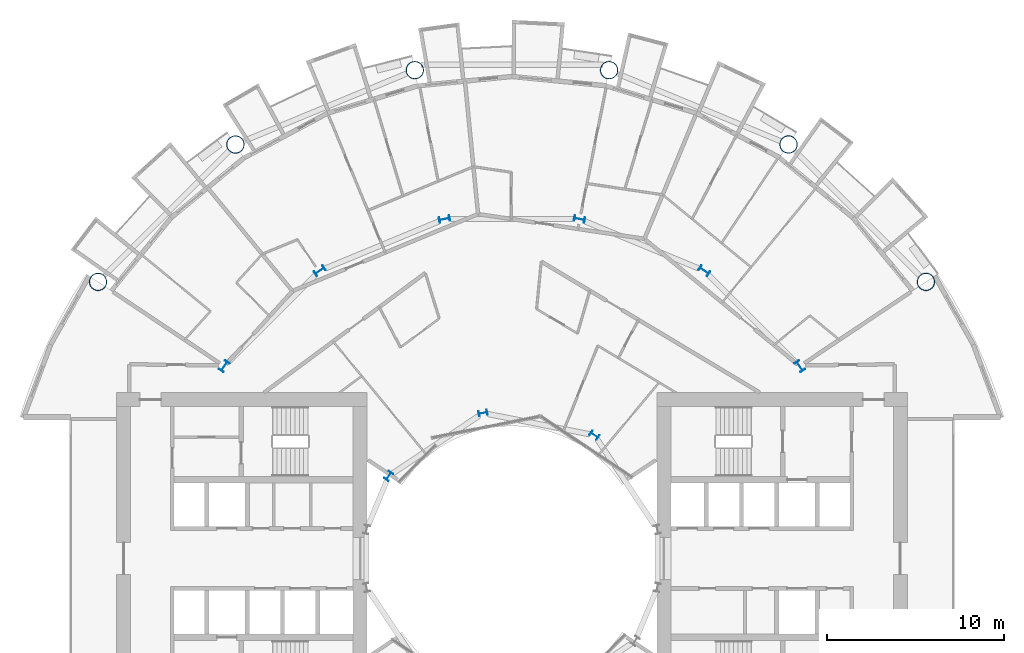
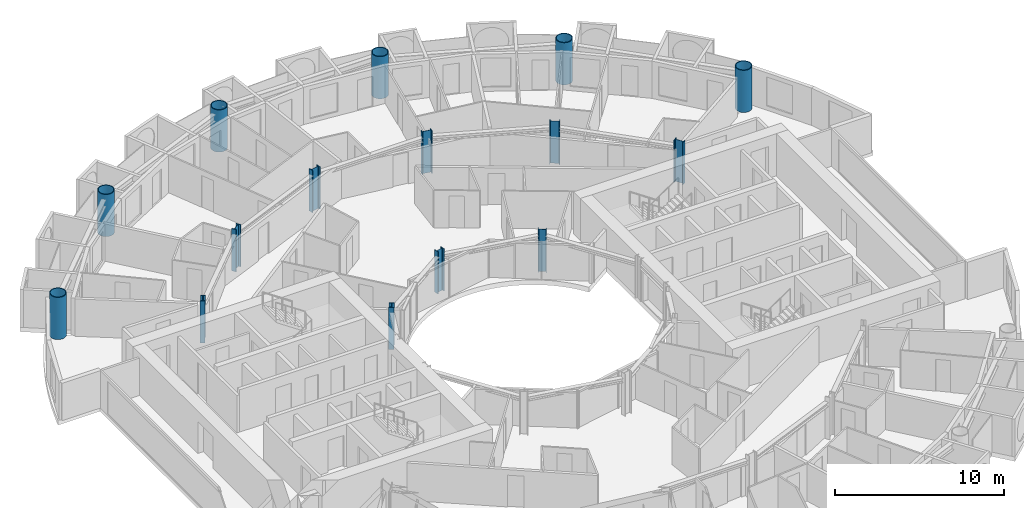
# One storey, part 3 of 26: 15 columns.
"""IFC4 building model written with IfcOpenShell, lengths in metres."""

from ifc_helpers import new_model, si_unit, direction, frame, origin, origin_2d, place, context, subcontext, project, spatial, hollow_circle, i_section, extrude, material, material_profile, profile_set, type_object, element, save


model = new_model("IFC4")

# Units and contexts
model_context = context("Model", 3, precision=1e-05, world=origin(), true_north=direction((0.0, 1.0)))
body_context = subcontext(model_context, "Body", "Model", "MODEL_VIEW")
ifc_project = project(units=[si_unit("LENGTHUNIT", "METRE"), si_unit("AREAUNIT", "SQUARE_METRE"), si_unit("VOLUMEUNIT", "CUBIC_METRE"), si_unit("PLANEANGLEUNIT", "RADIAN"), si_unit("MASSUNIT", "GRAM", prefix="KILO")], contexts=[model_context])

# Site, building, storey
site_placement = place(None, origin())
site = spatial("IfcSite", under=ifc_project, at=site_placement, CompositionType="ELEMENT")
building_placement = place(site_placement, origin())
building = spatial("IfcBuilding", under=site, at=building_placement, Name="Maasbend Ring Residences", CompositionType="ELEMENT")
storey_placement = place(building_placement, frame((0.0, 0.0, 50.25)))
storey = spatial("IfcBuildingStorey", under=building, at=storey_placement, Name="L14", CompositionType="ELEMENT", Elevation=50.25)

# Columns
ifc_material_1 = material(Name="Composite concrete-filled steel tube S460NH / C80/95", Category="concrete")
ifc_material_profile_1 = material_profile(ifc_material_1, hollow_circle(Radius=0.508056640625, WallThickness=0.050048828125, at=origin_2d()), Name="Composite tube column CHS 1016x50")
ifc_profile_set_1 = profile_set([ifc_material_profile_1], Name="Composite concrete-filled steel tube S460NH / C80/95")
column_type_1 = type_object("IfcColumnType", Name="Composite tube column CHS 1016x50", PredefinedType="COLUMN", material=ifc_profile_set_1)
for number, where, z_axis, x_axis, name in (
    (1, (23.447509765625, 15.6669921875, 0.0), (0.0, 0.0, 1.0), (1.0, 0.0, 0.0), "Outer column R2"),
    (2, (15.6669921875, 23.447509765625, 0.0), (0.0, 0.0, 1.0), (1.0, 0.0, 0.0), "Outer column R3"),
    (3, (5.50146484375, 27.658203125, 0.0), (0.0, 0.0, 1.0), (1.0, 0.0, 0.0), "Outer column R4"),
    (4, (-5.50146484375, 27.658203125, 0.0), (0.0, 0.0, 1.0), (1.0, 0.0, 0.0), "Outer column R5"),
    (5, (-15.6669921875, 23.447509765625, 0.0), (0.0, 0.0, 1.0), (1.0, 0.0, 0.0), "Outer column R6"),
    (6, (-23.447509765625, 15.6669921875, 0.0), (0.0, 0.0, 1.0), (1.0, 0.0, 0.0), "Outer column R7"),
):
    element("IfcColumn", number, at=place(storey_placement, frame(where, z_axis=z_axis, x_axis=x_axis)), inside=storey, type_object=column_type_1, Name=name, PredefinedType="COLUMN", context=body_context, shape_type="SweptSolid", body=[
        extrude(hollow_circle(Radius=0.508056640625, WallThickness=0.050048828125, at=origin_2d()), origin(), (0.0, 0.0, 1.0), 3.050048828125),
    ])
ifc_material_2 = material(Name="Steel S355J2", Category="steel")
ifc_material_profile_2 = material_profile(ifc_material_2, i_section(OverallWidth=0.300048828125, OverallDepth=0.5, WebThickness=0.014404296875, FlangeThickness=0.028076171875, FilletRadius=0.027099609375, at=origin_2d()), Name="HEB 500")
ifc_profile_set_2 = profile_set([ifc_material_profile_2], Name="Steel S355J2")
column_type_2 = type_object("IfcColumnType", Name="Steel column HEB 500", PredefinedType="COLUMN", material=ifc_profile_set_2)
for number, where, z_axis, x_axis, name in (
    (7, (4.666748046875, 6.984375, 0.0), (0.0, 0.0, 1.0), (0.55557023302, 0.831469612303, 0.0), "Well ring column R3"),
    (8, (-1.638916015625, 8.238525390625, 0.0), (0.0, 0.0, 1.0), (-0.195090322016, 0.980785280403, 0.0), "Well ring column R5"),
    (9, (-6.984375, 4.666748046875, 0.0), (0.0, 0.0, 1.0), (-0.831469612303, 0.55557023302, 0.0), "Well ring column R7"),
):
    element("IfcColumn", number, at=place(storey_placement, frame(where, z_axis=z_axis, x_axis=x_axis)), inside=storey, type_object=column_type_2, Name=name, PredefinedType="COLUMN", context=body_context, shape_type="SweptSolid", body=[
        extrude(i_section(OverallWidth=0.300048828125, OverallDepth=0.5, WebThickness=0.014404296875, FlangeThickness=0.028076171875, FilletRadius=0.027099609375, at=origin_2d()), origin(), (0.0, 0.0, 1.0), 3.050048828125),
    ])
ifc_material_3 = material(Name="Steel S460M", Category="steel")
ifc_material_profile_3 = material_profile(ifc_material_3, i_section(OverallWidth=0.304931640625, OverallDepth=0.6201171875, WebThickness=0.02099609375, FlangeThickness=0.0400390625, FilletRadius=0.027099609375, at=origin_2d()), Name="HEM 600")
ifc_profile_set_3 = profile_set([ifc_material_profile_3], Name="Steel S460M")
column_type_3 = type_object("IfcColumnType", Name="Steel column HEM 600", PredefinedType="COLUMN", material=ifc_profile_set_3)
for number, where, z_axis, x_axis, name in (
    (10, (16.296875, 10.88916015625, 0.0), (0.0, 0.0, 1.0), (0.831469612303, 0.55557023302, 0.0), "Corridor ring column R2"),
    (11, (10.88916015625, 16.296875, 0.0), (0.0, 0.0, 1.0), (0.55557023302, 0.831469612303, 0.0), "Corridor ring column R3"),
    (12, (3.82373046875, 19.223388671875, 0.0), (0.0, 0.0, 1.0), (0.195090322016, 0.980785280403, 0.0), "Corridor ring column R4"),
    (13, (-3.82373046875, 19.223388671875, 0.0), (0.0, 0.0, 1.0), (-0.195090322016, 0.980785280403, 0.0), "Corridor ring column R5"),
    (14, (-10.88916015625, 16.296875, 0.0), (0.0, 0.0, 1.0), (-0.55557023302, 0.831469612303, 0.0), "Corridor ring column R6"),
    (15, (-16.296875, 10.88916015625, 0.0), (0.0, 0.0, 1.0), (-0.831469612303, 0.55557023302, 0.0), "Corridor ring column R7"),
):
    element("IfcColumn", number, at=place(storey_placement, frame(where, z_axis=z_axis, x_axis=x_axis)), inside=storey, type_object=column_type_3, Name=name, PredefinedType="COLUMN", context=body_context, shape_type="SweptSolid", body=[
        extrude(i_section(OverallWidth=0.304931640625, OverallDepth=0.6201171875, WebThickness=0.02099609375, FlangeThickness=0.0400390625, FilletRadius=0.027099609375, at=origin_2d()), origin(), (0.0, 0.0, 1.0), 3.050048828125),
    ])

save(model, "model.ifc")
